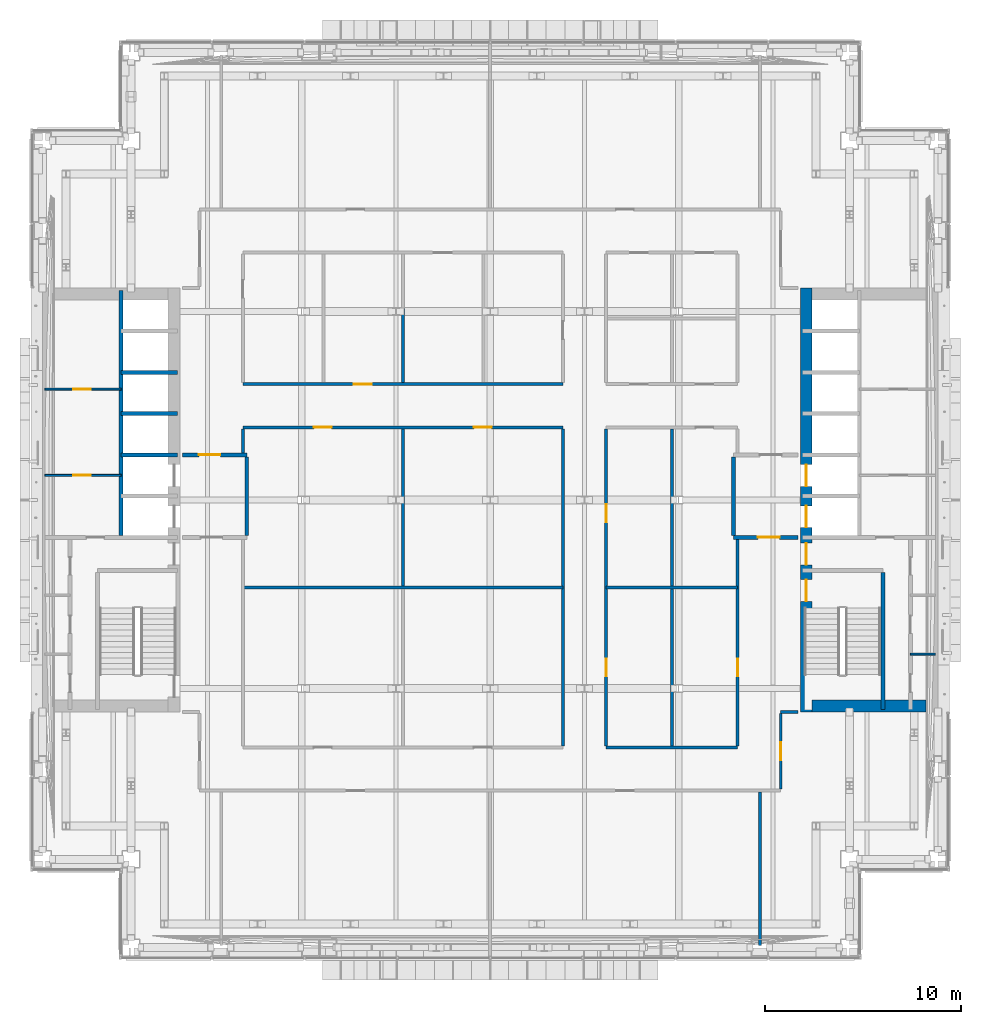
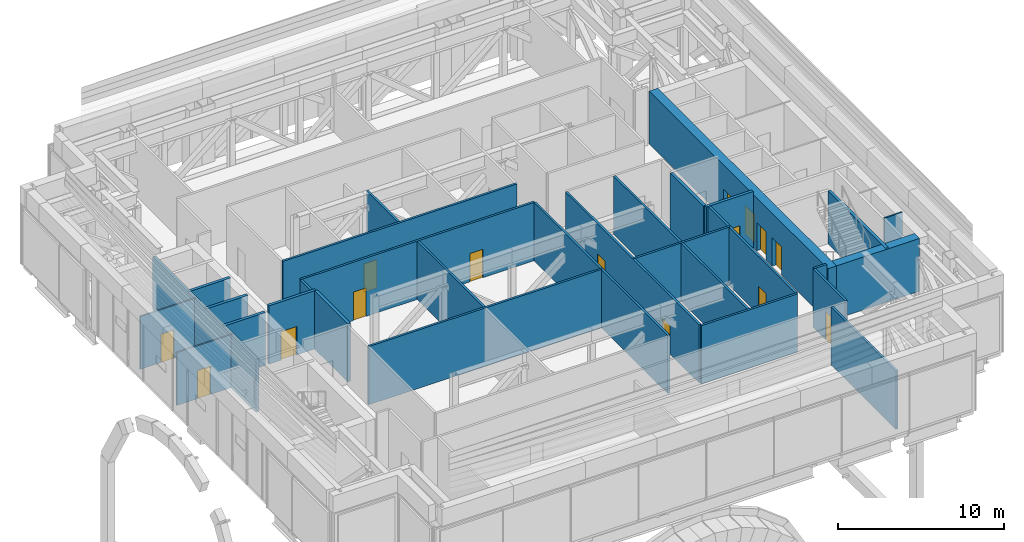
# One storey, part 11 of 38: 30 walls, 15 doors, 15 openings.
"""IFC4 building model written with IfcOpenShell, lengths in metres."""

from ifc_helpers import new_model, si_unit, direction, frame, frame_2d, origin, place, context, subcontext, project, spatial, rectangle, extrude, material, layer, layer_set, type_object, element, fill, save


model = new_model("IFC4")

# Units and contexts
model_context = context("Model", 3, precision=1e-05, world=origin(), true_north=direction((0.0, 1.0)))
body_context = subcontext(model_context, "Body", "Model", "MODEL_VIEW")
ifc_project = project(units=[si_unit("LENGTHUNIT", "METRE"), si_unit("AREAUNIT", "SQUARE_METRE"), si_unit("VOLUMEUNIT", "CUBIC_METRE"), si_unit("PLANEANGLEUNIT", "RADIAN"), si_unit("MASSUNIT", "GRAM", prefix="KILO")], contexts=[model_context])

# Site, building, storey
site_placement = place(None, origin())
site = spatial("IfcSite", under=ifc_project, at=site_placement, CompositionType="ELEMENT")
building_placement = place(site_placement, origin())
building = spatial("IfcBuilding", under=site, at=building_placement, Name="Cobrizo Arcos Hotel Tower", CompositionType="ELEMENT")
storey_placement = place(building_placement, frame((0.0, 0.0, 138.0)))
storey = spatial("IfcBuildingStorey", under=building, at=storey_placement, Name="L35", CompositionType="ELEMENT", Elevation=138.0)

# Walls
ifc_material_1 = material(Name="Gypsum board partition")
ifc_layer_1 = layer(ifc_material_1, 0.14990234375)
ifc_layer_set_1 = layer_set([ifc_layer_1], Name="Corridor wall EI 60 150")
wall_type_1 = type_object("IfcWallType", Name="Corridor wall EI 60 150", PredefinedType="PARTITIONING", material=ifc_layer_set_1)
wall_1_placement = place(storey_placement, frame((5.89990234375, -12.60009765625, 0.0), z_axis=(0.0, 0.0, 1.0), x_axis=(1.0, 0.0, 0.0)))
element("IfcWall", 1, at=wall_1_placement, inside=storey, type_object=wall_type_1, Name="Partition 003", PredefinedType="PARTITIONING", context=body_context, shape_type="SweptSolid", body=[
    extrude(rectangle(XDim=6.7001953125, YDim=0.14990234375, at=frame_2d((3.35009765625, 0.0))), origin(), (0.0, 0.0, 1.0), 4.300048828125),
])
wall_2_placement = place(storey_placement, frame((14.800048828125, -10.800048828125, 0.0), z_axis=(0.0, 0.0, 1.0), x_axis=(1.0, 0.0, 0.0)))
element("IfcWall", 2, at=wall_2_placement, inside=storey, type_object=wall_type_1, Name="Partition 005", PredefinedType="PARTITIONING", context=body_context, shape_type="SweptSolid", body=[
    extrude(rectangle(XDim=0.8798828125, YDim=0.14990234375, at=frame_2d((0.43994140625, 0.0))), origin(), (0.0, 0.0, 1.0), 4.300048828125),
])
wall_3_placement = place(storey_placement, frame((-12.60009765625, -4.449951171875, 0.0), z_axis=(0.0, 0.0, 1.0), x_axis=(1.0, 0.0, 0.0)))
element("IfcWall", 3, at=wall_3_placement, inside=storey, type_object=wall_type_1, Name="Partition 010", PredefinedType="PARTITIONING", context=body_context, shape_type="SweptSolid", body=[
    extrude(rectangle(XDim=16.300048828125, YDim=0.14990234375, at=frame_2d((8.14990234375, 0.0))), origin(), (0.0, 0.0, 1.0), 4.300048828125),
])
wall_4_placement = place(storey_placement, frame((5.89990234375, -4.449951171875, 0.0), z_axis=(0.0, 0.0, 1.0), x_axis=(1.0, 0.0, 0.0)))
element("IfcWall", 4, at=wall_4_placement, inside=storey, type_object=wall_type_1, Name="Partition 011", PredefinedType="PARTITIONING", context=body_context, shape_type="SweptSolid", body=[
    extrude(rectangle(XDim=6.7001953125, YDim=0.14990234375, at=frame_2d((3.35009765625, 0.0))), origin(), (0.0, 0.0, 1.0), 4.300048828125),
])

# Wall, openings, doors
wall_5_placement = place(storey_placement, frame((-12.60009765625, 3.699951171875, 0.0), z_axis=(0.0, 0.0, 1.0), x_axis=(1.0, 0.0, 0.0)))
wall_5 = element("IfcWall", 5, at=wall_5_placement, inside=storey, type_object=wall_type_1, Name="Partition 026", PredefinedType="PARTITIONING", context=body_context, shape_type="SweptSolid", body=[
    extrude(rectangle(XDim=16.300048828125, YDim=0.14990234375, at=frame_2d((8.14990234375, 0.0))), origin(), (0.0, 0.0, 1.0), 4.300048828125),
])
opening_1_placement = place(wall_5_placement, frame((3.625, 0.0, 0.0)))
opening_1 = element("IfcOpeningElement", 6, at=opening_1_placement, cuts=wall_5, Name="Opening RD-26", PredefinedType="OPENING", context=body_context, shape_type="SweptSolid", body=[
    extrude(rectangle(XDim=0.89990234375, YDim=2.10009765625, at=frame_2d((0.449951171875, 1.050048828125))), frame((0.0, 0.0869140625, 0.0), z_axis=(0.0, -1.0, 0.0), x_axis=(1.0, 0.0, 0.0)), (0.0, 0.0, 1.0), 0.173828125),
])
opening_2_placement = place(wall_5_placement, frame((11.77490234375, 0.0, 0.0)))
opening_2 = element("IfcOpeningElement", 7, at=opening_2_placement, cuts=wall_5, Name="Opening RD-28", PredefinedType="OPENING", context=body_context, shape_type="SweptSolid", body=[
    extrude(rectangle(XDim=0.89990234375, YDim=2.10009765625, at=frame_2d((0.449951171875, 1.050048828125))), frame((0.0, 0.0869140625, 0.0), z_axis=(0.0, -1.0, 0.0), x_axis=(1.0, 0.0, 0.0)), (0.0, 0.0, 1.0), 0.173828125),
])
ifc_material_2 = material(Name="Timber door leaf", Category="wood")
door_type_1 = type_object("IfcDoorType", Name="Room door FD30 900x2100", OperationType="SINGLE_SWING_LEFT", PredefinedType="DOOR", material=ifc_material_2)
door_1_placement = place(opening_1_placement, origin())
door_1 = element("IfcDoor", 8, at=door_1_placement, inside=storey, type_object=door_type_1, Name="Door RD-26", OperationType="SINGLE_SWING_RIGHT", OverallHeight=2.10009765625, OverallWidth=0.89990234375, PredefinedType="DOOR", context=body_context, shape_type="SweptSolid", body=[
    extrude(rectangle(XDim=0.89990234375, YDim=2.10009765625, at=frame_2d((0.449951171875, 1.050048828125))), frame((0.0, 0.02490234375, 0.0), z_axis=(0.0, -1.0, 0.0), x_axis=(1.0, 0.0, 0.0)), (0.0, 0.0, 1.0), 0.050048828125),
])
fill(opening_1, door_1)
door_2_placement = place(opening_2_placement, origin())
door_2 = element("IfcDoor", 9, at=door_2_placement, inside=storey, type_object=door_type_1, Name="Door RD-28", OperationType="SINGLE_SWING_RIGHT", OverallHeight=2.10009765625, OverallWidth=0.89990234375, PredefinedType="DOOR", context=body_context, shape_type="SweptSolid", body=[
    extrude(rectangle(XDim=0.89990234375, YDim=2.10009765625, at=frame_2d((0.449951171875, 1.050048828125))), frame((0.0, 0.02490234375, 0.0), z_axis=(0.0, -1.0, 0.0), x_axis=(1.0, 0.0, 0.0)), (0.0, 0.0, 1.0), 0.050048828125),
])
fill(opening_2, door_2)

# Wall, opening, door
wall_6_placement = place(storey_placement, frame((-12.60009765625, 5.89990234375, 0.0), z_axis=(0.0, 0.0, 1.0), x_axis=(1.0, 0.0, 0.0)))
wall_6 = element("IfcWall", 10, at=wall_6_placement, inside=storey, type_object=wall_type_1, Name="Partition 032", PredefinedType="PARTITIONING", context=body_context, shape_type="SweptSolid", body=[
    extrude(rectangle(XDim=16.300048828125, YDim=0.14990234375, at=frame_2d((8.14990234375, 0.0))), origin(), (0.0, 0.0, 1.0), 4.300048828125),
])
opening_3_placement = place(wall_6_placement, frame((5.662109375, 0.0, 0.0)))
opening_3 = element("IfcOpeningElement", 11, at=opening_3_placement, cuts=wall_6, Name="Opening RD-30", PredefinedType="OPENING", context=body_context, shape_type="SweptSolid", body=[
    extrude(rectangle(XDim=0.89990234375, YDim=2.10009765625, at=frame_2d((0.449951171875, 1.050048828125))), frame((0.0, 0.0869140625, 0.0), z_axis=(0.0, -1.0, 0.0), x_axis=(1.0, 0.0, 0.0)), (0.0, 0.0, 1.0), 0.173828125),
])
door_3_placement = place(opening_3_placement, origin())
door_3 = element("IfcDoor", 12, at=door_3_placement, inside=storey, type_object=door_type_1, Name="Door RD-30", OperationType="SINGLE_SWING_RIGHT", OverallHeight=2.10009765625, OverallWidth=0.89990234375, PredefinedType="DOOR", context=body_context, shape_type="SweptSolid", body=[
    extrude(rectangle(XDim=0.89990234375, YDim=2.10009765625, at=frame_2d((0.449951171875, 1.050048828125))), frame((0.0, 0.02490234375, 0.0), z_axis=(0.0, -1.0, 0.0), x_axis=(1.0, 0.0, 0.0)), (0.0, 0.0, 1.0), 0.050048828125),
])
fill(opening_3, door_3)

# Walls
wall_7_placement = place(storey_placement, frame((-12.60009765625, 2.39990234375, 0.0), z_axis=(0.0, 0.0, 1.0), x_axis=(0.0, 1.0, 0.0)))
element("IfcWall", 13, at=wall_7_placement, inside=storey, type_object=wall_type_1, Name="Partition 052", PredefinedType="PARTITIONING", context=body_context, shape_type="SweptSolid", body=[
    extrude(rectangle(XDim=1.22509765625, YDim=0.14990234375, at=frame_2d((0.612548828125, 0.0))), origin(), (0.0, 0.0, 1.0), 4.300048828125),
])
wall_8_placement = place(storey_placement, frame((-4.449951171875, -4.375, 0.0), z_axis=(0.0, 0.0, 1.0), x_axis=(0.0, 1.0, 0.0)))
element("IfcWall", 14, at=wall_8_placement, inside=storey, type_object=wall_type_1, Name="Partition 057", PredefinedType="PARTITIONING", context=body_context, shape_type="SweptSolid", body=[
    extrude(rectangle(XDim=8.0, YDim=0.14990234375, at=frame_2d((4.0, 0.0))), origin(), (0.0, 0.0, 1.0), 4.300048828125),
])
wall_9_placement = place(storey_placement, frame((-4.449951171875, 5.97509765625, 0.0), z_axis=(0.0, 0.0, 1.0), x_axis=(0.0, 1.0, 0.0)))
element("IfcWall", 15, at=wall_9_placement, inside=storey, type_object=wall_type_1, Name="Partition 058", PredefinedType="PARTITIONING", context=body_context, shape_type="SweptSolid", body=[
    extrude(rectangle(XDim=3.77490234375, YDim=0.14990234375, at=frame_2d((1.887451171875, 0.0))), origin(), (0.0, 0.0, 1.0), 4.300048828125),
])
wall_10_placement = place(storey_placement, frame((3.699951171875, -12.52490234375, 0.0), z_axis=(0.0, 0.0, 1.0), x_axis=(0.0, 1.0, 0.0)))
element("IfcWall", 16, at=wall_10_placement, inside=storey, type_object=wall_type_1, Name="Partition 066", PredefinedType="PARTITIONING", context=body_context, shape_type="SweptSolid", body=[
    extrude(rectangle(XDim=16.14990234375, YDim=0.14990234375, at=frame_2d((8.074951171875, 0.0))), origin(), (0.0, 0.0, 1.0), 4.300048828125),
])

# Wall, openings, doors
wall_11_placement = place(storey_placement, frame((5.89990234375, -12.52490234375, 0.0), z_axis=(0.0, 0.0, 1.0), x_axis=(0.0, 1.0, 0.0)))
wall_11 = element("IfcWall", 17, at=wall_11_placement, inside=storey, type_object=wall_type_1, Name="Partition 068", PredefinedType="PARTITIONING", context=body_context, shape_type="SweptSolid", body=[
    extrude(rectangle(XDim=16.14990234375, YDim=0.14990234375, at=frame_2d((8.074951171875, 0.0))), origin(), (0.0, 0.0, 1.0), 4.300048828125),
])
opening_4_placement = place(wall_11_placement, frame((3.550048828125, 0.0, 0.0)))
opening_4 = element("IfcOpeningElement", 18, at=opening_4_placement, cuts=wall_11, Name="Opening RD-17", PredefinedType="OPENING", context=body_context, shape_type="SweptSolid", body=[
    extrude(rectangle(XDim=0.89990234375, YDim=2.10009765625, at=frame_2d((0.449951171875, 1.050048828125))), frame((0.0, 0.0869140625, 0.0), z_axis=(0.0, -1.0, 0.0), x_axis=(1.0, 0.0, 0.0)), (0.0, 0.0, 1.0), 0.173828125),
])
opening_5_placement = place(wall_11_placement, frame((11.39990234375, 0.0, 0.0)))
opening_5 = element("IfcOpeningElement", 19, at=opening_5_placement, cuts=wall_11, Name="Opening RD-18", PredefinedType="OPENING", context=body_context, shape_type="SweptSolid", body=[
    extrude(rectangle(XDim=0.89990234375, YDim=2.10009765625, at=frame_2d((0.449951171875, 1.050048828125))), frame((0.0, 0.0869140625, 0.0), z_axis=(0.0, -1.0, 0.0), x_axis=(1.0, 0.0, 0.0)), (0.0, 0.0, 1.0), 0.173828125),
])
door_4_placement = place(opening_4_placement, origin())
door_4 = element("IfcDoor", 20, at=door_4_placement, inside=storey, type_object=door_type_1, Name="Door RD-17", OperationType="SINGLE_SWING_LEFT", OverallHeight=2.10009765625, OverallWidth=0.89990234375, PredefinedType="DOOR", context=body_context, shape_type="SweptSolid", body=[
    extrude(rectangle(XDim=0.89990234375, YDim=2.10009765625, at=frame_2d((0.449951171875, 1.050048828125))), frame((0.0, 0.02490234375, 0.0), z_axis=(0.0, -1.0, 0.0), x_axis=(1.0, 0.0, 0.0)), (0.0, 0.0, 1.0), 0.050048828125),
])
fill(opening_4, door_4)
door_5_placement = place(opening_5_placement, origin())
door_5 = element("IfcDoor", 21, at=door_5_placement, inside=storey, type_object=door_type_1, Name="Door RD-18", OperationType="SINGLE_SWING_LEFT", OverallHeight=2.10009765625, OverallWidth=0.89990234375, PredefinedType="DOOR", context=body_context, shape_type="SweptSolid", body=[
    extrude(rectangle(XDim=0.89990234375, YDim=2.10009765625, at=frame_2d((0.449951171875, 1.050048828125))), frame((0.0, 0.02490234375, 0.0), z_axis=(0.0, -1.0, 0.0), x_axis=(1.0, 0.0, 0.0)), (0.0, 0.0, 1.0), 0.050048828125),
])
fill(opening_5, door_5)

# Walls
for number, where, z_axis, x_axis, name in (
    (22, (9.25, -12.52490234375, 0.0), (0.0, 0.0, 1.0), (0.0, 1.0, 0.0), "Partition 070"),
    (23, (9.25, -4.375, 0.0), (0.0, 0.0, 1.0), (0.0, 1.0, 0.0), "Partition 071"),
):
    element("IfcWall", number, at=place(storey_placement, frame(where, z_axis=z_axis, x_axis=x_axis)), inside=storey, type_object=wall_type_1, Name=name, PredefinedType="PARTITIONING", context=body_context, shape_type="SweptSolid", body=[
        extrude(rectangle(XDim=8.0, YDim=0.14990234375, at=frame_2d((4.0, 0.0))), origin(), (0.0, 0.0, 1.0), 4.300048828125),
    ])

# Wall, opening, door
wall_12_placement = place(storey_placement, frame((12.60009765625, -12.52490234375, 0.0), z_axis=(0.0, 0.0, 1.0), x_axis=(0.0, 1.0, 0.0)))
wall_12 = element("IfcWall", 24, at=wall_12_placement, inside=storey, type_object=wall_type_1, Name="Partition 075", PredefinedType="PARTITIONING", context=body_context, shape_type="SweptSolid", body=[
    extrude(rectangle(XDim=10.52490234375, YDim=0.14990234375, at=frame_2d((5.262451171875, 0.0))), origin(), (0.0, 0.0, 1.0), 4.300048828125),
])
opening_6_placement = place(wall_12_placement, frame((3.550048828125, 0.0, 0.0)))
opening_6 = element("IfcOpeningElement", 25, at=opening_6_placement, cuts=wall_12, Name="Opening RD-19", PredefinedType="OPENING", context=body_context, shape_type="SweptSolid", body=[
    extrude(rectangle(XDim=0.89990234375, YDim=2.10009765625, at=frame_2d((0.449951171875, 1.050048828125))), frame((0.0, 0.0869140625, 0.0), z_axis=(0.0, -1.0, 0.0), x_axis=(1.0, 0.0, 0.0)), (0.0, 0.0, 1.0), 0.173828125),
])
door_6_placement = place(opening_6_placement, origin())
door_6 = element("IfcDoor", 26, at=door_6_placement, inside=storey, type_object=door_type_1, Name="Door RD-19", OperationType="SINGLE_SWING_LEFT", OverallHeight=2.10009765625, OverallWidth=0.89990234375, PredefinedType="DOOR", context=body_context, shape_type="SweptSolid", body=[
    extrude(rectangle(XDim=0.89990234375, YDim=2.10009765625, at=frame_2d((0.449951171875, 1.050048828125))), frame((0.0, 0.02490234375, 0.0), z_axis=(0.0, -1.0, 0.0), x_axis=(1.0, 0.0, 0.0)), (0.0, 0.0, 1.0), 0.050048828125),
])
fill(opening_6, door_6)

# Wall
wall_13_placement = place(storey_placement, frame((13.75, -22.679931640625, 0.0), z_axis=(0.0, 0.0, 1.0), x_axis=(0.0, 1.0, 0.0)))
element("IfcWall", 27, at=wall_13_placement, inside=storey, type_object=wall_type_1, Name="Partition 078", PredefinedType="PARTITIONING", context=body_context, shape_type="SweptSolid", body=[
    extrude(rectangle(XDim=7.804931640625, YDim=0.14990234375, at=frame_2d((3.90234375, 0.0))), origin(), (0.0, 0.0, 1.0), 4.300048828125),
])

# Wall, opening, door
wall_14_placement = place(storey_placement, frame((14.800048828125, -14.72509765625, 0.0), z_axis=(0.0, 0.0, 1.0), x_axis=(0.0, 1.0, 0.0)))
wall_14 = element("IfcWall", 28, at=wall_14_placement, inside=storey, type_object=wall_type_1, Name="Partition 080", PredefinedType="PARTITIONING", context=body_context, shape_type="SweptSolid", body=[
    extrude(rectangle(XDim=3.85009765625, YDim=0.14990234375, at=frame_2d((1.925048828125, 0.0))), origin(), (0.0, 0.0, 1.0), 4.300048828125),
])
opening_7_placement = place(wall_14_placement, frame((1.47509765625, 0.0, 0.0)))
opening_7 = element("IfcOpeningElement", 29, at=opening_7_placement, cuts=wall_14, Name="Opening RD-16", PredefinedType="OPENING", context=body_context, shape_type="SweptSolid", body=[
    extrude(rectangle(XDim=0.89990234375, YDim=2.10009765625, at=frame_2d((0.449951171875, 1.050048828125))), frame((0.0, 0.0869140625, 0.0), z_axis=(0.0, -1.0, 0.0), x_axis=(1.0, 0.0, 0.0)), (0.0, 0.0, 1.0), 0.173828125),
])
door_7_placement = place(opening_7_placement, origin())
door_7 = element("IfcDoor", 30, at=door_7_placement, inside=storey, type_object=door_type_1, Name="Door RD-16", OperationType="SINGLE_SWING_LEFT", OverallHeight=2.10009765625, OverallWidth=0.89990234375, PredefinedType="DOOR", context=body_context, shape_type="SweptSolid", body=[
    extrude(rectangle(XDim=0.89990234375, YDim=2.10009765625, at=frame_2d((0.449951171875, 1.050048828125))), frame((0.0, 0.02490234375, 0.0), z_axis=(0.0, -1.0, 0.0), x_axis=(1.0, 0.0, 0.0)), (0.0, 0.0, 1.0), 0.050048828125),
])
fill(opening_7, door_7)

# Wall
ifc_layer_2 = layer(ifc_material_1, 0.10009765625)
ifc_layer_set_2 = layer_set([ifc_layer_2], Name="Partition EI 30 100")
wall_type_2 = type_object("IfcWallType", Name="Partition EI 30 100", PredefinedType="PARTITIONING", material=ifc_layer_set_2)
wall_15_placement = place(storey_placement, frame((21.39990234375, -7.85009765625, 0.0), z_axis=(0.0, 0.0, 1.0), x_axis=(1.0, 0.0, 0.0)))
element("IfcWall", 31, at=wall_15_placement, inside=storey, type_object=wall_type_2, Name="Partition 007", PredefinedType="PARTITIONING", context=body_context, shape_type="SweptSolid", body=[
    extrude(rectangle(XDim=1.280029296875, YDim=0.10009765625, at=frame_2d((0.64013671875, 0.0))), origin(), (0.0, 0.0, 1.0), 3.89990234375),
])

# Wall, opening, door
wall_16_placement = place(storey_placement, frame((-22.679931640625, 1.25, 0.0), z_axis=(0.0, 0.0, 1.0), x_axis=(1.0, 0.0, 0.0)))
wall_16 = element("IfcWall", 32, at=wall_16_placement, inside=storey, type_object=wall_type_2, Name="Partition 020", PredefinedType="PARTITIONING", context=body_context, shape_type="SweptSolid", body=[
    extrude(rectangle(XDim=3.8798828125, YDim=0.10009765625, at=frame_2d((1.93994140625, 0.0))), origin(), (0.0, 0.0, 1.0), 3.89990234375),
])
opening_8_placement = place(wall_16_placement, frame((1.429931640625, 0.0, 0.0)))
opening_8 = element("IfcOpeningElement", 33, at=opening_8_placement, cuts=wall_16, Name="Opening RD-04", PredefinedType="OPENING", context=body_context, shape_type="SweptSolid", body=[
    extrude(rectangle(XDim=0.89990234375, YDim=2.10009765625, at=frame_2d((0.449951171875, 1.050048828125))), frame((0.0, 0.06201171875, 0.0), z_axis=(0.0, -1.0, 0.0), x_axis=(1.0, 0.0, 0.0)), (0.0, 0.0, 1.0), 0.1240234375),
])
door_8_placement = place(opening_8_placement, origin())
door_8 = element("IfcDoor", 34, at=door_8_placement, inside=storey, type_object=door_type_1, Name="Door RD-04", OperationType="SINGLE_SWING_LEFT", OverallHeight=2.10009765625, OverallWidth=0.89990234375, PredefinedType="DOOR", context=body_context, shape_type="SweptSolid", body=[
    extrude(rectangle(XDim=0.89990234375, YDim=2.10009765625, at=frame_2d((0.449951171875, 1.050048828125))), frame((0.0, 0.02490234375, 0.0), z_axis=(0.0, -1.0, 0.0), x_axis=(1.0, 0.0, 0.0)), (0.0, 0.0, 1.0), 0.050048828125),
])
fill(opening_8, door_8)

wall_17_placement = place(storey_placement, frame((-22.679931640625, 5.64990234375, 0.0), z_axis=(0.0, 0.0, 1.0), x_axis=(1.0, 0.0, 0.0)))
wall_17 = element("IfcWall", 35, at=wall_17_placement, inside=storey, type_object=wall_type_2, Name="Partition 030", PredefinedType="PARTITIONING", context=body_context, shape_type="SweptSolid", body=[
    extrude(rectangle(XDim=3.8798828125, YDim=0.10009765625, at=frame_2d((1.93994140625, 0.0))), origin(), (0.0, 0.0, 1.0), 3.89990234375),
])
opening_9_placement = place(wall_17_placement, frame((1.429931640625, 0.0, 0.0)))
opening_9 = element("IfcOpeningElement", 36, at=opening_9_placement, cuts=wall_17, Name="Opening RD-05", PredefinedType="OPENING", context=body_context, shape_type="SweptSolid", body=[
    extrude(rectangle(XDim=0.89990234375, YDim=2.10009765625, at=frame_2d((0.449951171875, 1.050048828125))), frame((0.0, 0.06201171875, 0.0), z_axis=(0.0, -1.0, 0.0), x_axis=(1.0, 0.0, 0.0)), (0.0, 0.0, 1.0), 0.1240234375),
])
door_9_placement = place(opening_9_placement, origin())
door_9 = element("IfcDoor", 37, at=door_9_placement, inside=storey, type_object=door_type_1, Name="Door RD-05", OperationType="SINGLE_SWING_LEFT", OverallHeight=2.10009765625, OverallWidth=0.89990234375, PredefinedType="DOOR", context=body_context, shape_type="SweptSolid", body=[
    extrude(rectangle(XDim=0.89990234375, YDim=2.10009765625, at=frame_2d((0.449951171875, 1.050048828125))), frame((0.0, 0.02490234375, 0.0), z_axis=(0.0, -1.0, 0.0), x_axis=(1.0, 0.0, 0.0)), (0.0, 0.0, 1.0), 0.050048828125),
])
fill(opening_9, door_9)

# Wall, openings, doors
ifc_material_3 = material(Name="Concrete f'c 50 MPa", Category="concrete")
ifc_layer_3 = layer(ifc_material_3, 0.60009765625)
ifc_layer_set_3 = layer_set([ifc_layer_3], Name="RC core wall 600 f'c 50")
wall_type_3 = type_object("IfcWallType", Name="RC core wall 600 f'c 50", PredefinedType="SHEAR", material=ifc_layer_set_3)
wall_18_placement = place(storey_placement, frame((16.10009765625, -10.800048828125, 0.0), z_axis=(0.0, 0.0, 1.0), x_axis=(0.0, 1.0, 0.0)))
wall_18 = element("IfcWall", 38, at=wall_18_placement, inside=storey, type_object=wall_type_3, Name="Core wall CW2, east core, inner face, L35", PredefinedType="SHEAR", context=body_context, shape_type="SweptSolid", body=[
    extrude(rectangle(XDim=21.60009765625, YDim=0.60009765625, at=frame_2d((10.800048828125, 0.0))), origin(), (0.0, 0.0, 1.0), 3.89990234375),
])
opening_10_placement = place(wall_18_placement, frame((9.39990234375, 0.0, 0.0)))
opening_10 = element("IfcOpeningElement", 39, at=opening_10_placement, cuts=wall_18, Name="Opening LD-03", PredefinedType="OPENING", context=body_context, shape_type="SweptSolid", body=[
    extrude(rectangle(XDim=1.10009765625, YDim=2.10009765625, at=frame_2d((0.550048828125, 1.050048828125))), frame((0.0, 0.31201171875, 0.0), z_axis=(0.0, -1.0, 0.0), x_axis=(1.0, 0.0, 0.0)), (0.0, 0.0, 1.0), 0.6240234375),
])
opening_11_placement = place(wall_18_placement, frame((11.5, 0.0, 0.0)))
opening_11 = element("IfcOpeningElement", 40, at=opening_11_placement, cuts=wall_18, Name="Opening LD-04", PredefinedType="OPENING", context=body_context, shape_type="SweptSolid", body=[
    extrude(rectangle(XDim=1.10009765625, YDim=2.10009765625, at=frame_2d((0.550048828125, 1.050048828125))), frame((0.0, 0.31201171875, 0.0), z_axis=(0.0, -1.0, 0.0), x_axis=(1.0, 0.0, 0.0)), (0.0, 0.0, 1.0), 0.6240234375),
])
opening_12_placement = place(wall_18_placement, frame((5.64208984375, 0.0, 0.0)))
opening_12 = element("IfcOpeningElement", 41, at=opening_12_placement, cuts=wall_18, Name="Opening SD-02", PredefinedType="OPENING", context=body_context, shape_type="SweptSolid", body=[
    extrude(rectangle(XDim=1.10009765625, YDim=2.10009765625, at=frame_2d((0.550048828125, 1.050048828125))), frame((0.0, 0.31201171875, 0.0), z_axis=(0.0, -1.0, 0.0), x_axis=(1.0, 0.0, 0.0)), (0.0, 0.0, 1.0), 0.6240234375),
])
opening_13_placement = place(wall_18_placement, frame((7.5, 0.0, 0.0)))
opening_13 = element("IfcOpeningElement", 42, at=opening_13_placement, cuts=wall_18, Name="Opening FD-04", PredefinedType="OPENING", context=body_context, shape_type="SweptSolid", body=[
    extrude(rectangle(XDim=1.10009765625, YDim=2.10009765625, at=frame_2d((0.550048828125, 1.050048828125))), frame((0.0, 0.31201171875, 0.0), z_axis=(0.0, -1.0, 0.0), x_axis=(1.0, 0.0, 0.0)), (0.0, 0.0, 1.0), 0.6240234375),
])
ifc_material_4 = material(Name="Steel door leaf", Category="steel")
door_type_2 = type_object("IfcDoorType", Name="Fire door FD60 1100x2100", OperationType="SINGLE_SWING_LEFT", PredefinedType="DOOR", material=ifc_material_4)
door_10_placement = place(opening_13_placement, origin())
door_10 = element("IfcDoor", 43, at=door_10_placement, inside=storey, type_object=door_type_2, Name="Door FD-04", OperationType="SINGLE_SWING_RIGHT", OverallHeight=2.10009765625, OverallWidth=1.10009765625, PredefinedType="DOOR", context=body_context, shape_type="SweptSolid", body=[
    extrude(rectangle(XDim=1.10009765625, YDim=2.10009765625, at=frame_2d((0.550048828125, 1.050048828125))), frame((0.0, 0.02490234375, 0.0), z_axis=(0.0, -1.0, 0.0), x_axis=(1.0, 0.0, 0.0)), (0.0, 0.0, 1.0), 0.050048828125),
])
fill(opening_13, door_10)
door_type_3 = type_object("IfcDoorType", Name="Lift landing door 1100x2100", OperationType="SLIDING_TO_LEFT", PredefinedType="DOOR", material=ifc_material_4)
door_11_placement = place(opening_10_placement, origin())
door_11 = element("IfcDoor", 44, at=door_11_placement, inside=storey, type_object=door_type_3, Name="Lift landing door LD-03", OperationType="SLIDING_TO_LEFT", OverallHeight=2.10009765625, OverallWidth=1.10009765625, PredefinedType="DOOR", context=body_context, shape_type="SweptSolid", body=[
    extrude(rectangle(XDim=1.10009765625, YDim=2.10009765625, at=frame_2d((0.550048828125, 1.050048828125))), frame((0.0, 0.02490234375, 0.0), z_axis=(0.0, -1.0, 0.0), x_axis=(1.0, 0.0, 0.0)), (0.0, 0.0, 1.0), 0.050048828125),
])
fill(opening_10, door_11)
door_12_placement = place(opening_11_placement, origin())
door_12 = element("IfcDoor", 45, at=door_12_placement, inside=storey, type_object=door_type_3, Name="Lift landing door LD-04", OperationType="SLIDING_TO_LEFT", OverallHeight=2.10009765625, OverallWidth=1.10009765625, PredefinedType="DOOR", context=body_context, shape_type="SweptSolid", body=[
    extrude(rectangle(XDim=1.10009765625, YDim=2.10009765625, at=frame_2d((0.550048828125, 1.050048828125))), frame((0.0, 0.02490234375, 0.0), z_axis=(0.0, -1.0, 0.0), x_axis=(1.0, 0.0, 0.0)), (0.0, 0.0, 1.0), 0.050048828125),
])
fill(opening_11, door_12)
door_type_4 = type_object("IfcDoorType", Name="Stair door FD60S 1100x2100", OperationType="SINGLE_SWING_LEFT", PredefinedType="DOOR", material=ifc_material_4)
door_13_placement = place(opening_12_placement, origin())
door_13 = element("IfcDoor", 46, at=door_13_placement, inside=storey, type_object=door_type_4, Name="Door SD-02", OperationType="SINGLE_SWING_RIGHT", OverallHeight=2.10009765625, OverallWidth=1.10009765625, PredefinedType="DOOR", context=body_context, shape_type="SweptSolid", body=[
    extrude(rectangle(XDim=1.10009765625, YDim=2.10009765625, at=frame_2d((0.550048828125, 1.050048828125))), frame((0.0, 0.02490234375, 0.0), z_axis=(0.0, -1.0, 0.0), x_axis=(1.0, 0.0, 0.0)), (0.0, 0.0, 1.0), 0.050048828125),
])
fill(opening_12, door_13)

# Wall
wall_19_placement = place(storey_placement, frame((16.39990234375, -10.5, 0.0), z_axis=(0.0, 0.0, 1.0), x_axis=(1.0, 0.0, 0.0)))
element("IfcWall", 47, at=wall_19_placement, inside=storey, type_object=wall_type_3, Name="Core wall CW2, east core, south end, L35", PredefinedType="SHEAR", context=body_context, shape_type="SweptSolid", body=[
    extrude(rectangle(XDim=5.800048828125, YDim=0.60009765625, at=frame_2d((2.89990234375, 0.0))), origin(), (0.0, 0.0, 1.0), 3.89990234375),
])

# Wall, opening, door
ifc_layer_4 = layer(ifc_material_1, 0.199951171875)
ifc_layer_set_4 = layer_set([ifc_layer_4], Name="Shaft wall EI 120 200")
wall_type_4 = type_object("IfcWallType", Name="Shaft wall EI 120 200", PredefinedType="PARTITIONING", material=ifc_layer_set_4)
wall_20_placement = place(storey_placement, frame((12.39990234375, -1.89990234375, 0.0), z_axis=(0.0, 0.0, 1.0), x_axis=(1.0, 0.0, 0.0)))
wall_20 = element("IfcWall", 48, at=wall_20_placement, inside=storey, type_object=wall_type_4, Name="Partition 016", PredefinedType="PARTITIONING", context=body_context, shape_type="SweptSolid", body=[
    extrude(rectangle(XDim=3.280029296875, YDim=0.199951171875, at=frame_2d((1.64013671875, 0.0))), origin(), (0.0, 0.0, 1.0), 4.300048828125),
])
opening_14_placement = place(wall_20_placement, frame((1.239990234375, 0.0, 0.0)))
opening_14 = element("IfcOpeningElement", 49, at=opening_14_placement, cuts=wall_20, Name="Opening FD-05", PredefinedType="OPENING", context=body_context, shape_type="SweptSolid", body=[
    extrude(rectangle(XDim=1.10009765625, YDim=2.10009765625, at=frame_2d((0.550048828125, 1.050048828125))), frame((0.0, 0.112060546875, 0.0), z_axis=(0.0, -1.0, 0.0), x_axis=(1.0, 0.0, 0.0)), (0.0, 0.0, 1.0), 0.223876953125),
])
door_14_placement = place(opening_14_placement, origin())
door_14 = element("IfcDoor", 50, at=door_14_placement, inside=storey, type_object=door_type_2, Name="Door FD-05", OperationType="SINGLE_SWING_RIGHT", OverallHeight=2.10009765625, OverallWidth=1.10009765625, PredefinedType="DOOR", context=body_context, shape_type="SweptSolid", body=[
    extrude(rectangle(XDim=1.10009765625, YDim=2.10009765625, at=frame_2d((0.550048828125, 1.050048828125))), frame((0.0, 0.02490234375, 0.0), z_axis=(0.0, -1.0, 0.0), x_axis=(1.0, 0.0, 0.0)), (0.0, 0.0, 1.0), 0.050048828125),
])
fill(opening_14, door_14)

# Wall
wall_21_placement = place(storey_placement, frame((-18.800048828125, 2.300048828125, 0.0), z_axis=(0.0, 0.0, 1.0), x_axis=(1.0, 0.0, 0.0)))
element("IfcWall", 51, at=wall_21_placement, inside=storey, type_object=wall_type_4, Name="Partition 022", PredefinedType="PARTITIONING", context=body_context, shape_type="SweptSolid", body=[
    extrude(rectangle(XDim=2.880126953125, YDim=0.199951171875, at=frame_2d((1.43994140625, 0.0))), origin(), (0.0, 0.0, 1.0), 3.89990234375),
])

# Wall, opening, door
wall_22_placement = place(storey_placement, frame((-15.679931640625, 2.300048828125, 0.0), z_axis=(0.0, 0.0, 1.0), x_axis=(1.0, 0.0, 0.0)))
wall_22 = element("IfcWall", 52, at=wall_22_placement, inside=storey, type_object=wall_type_4, Name="Partition 023", PredefinedType="PARTITIONING", context=body_context, shape_type="SweptSolid", body=[
    extrude(rectangle(XDim=3.280029296875, YDim=0.199951171875, at=frame_2d((1.64013671875, 0.0))), origin(), (0.0, 0.0, 1.0), 4.300048828125),
])
opening_15_placement = place(wall_22_placement, frame((0.840087890625, 0.0, 0.0)))
opening_15 = element("IfcOpeningElement", 53, at=opening_15_placement, cuts=wall_22, Name="Opening FD-03", PredefinedType="OPENING", context=body_context, shape_type="SweptSolid", body=[
    extrude(rectangle(XDim=1.10009765625, YDim=2.10009765625, at=frame_2d((0.550048828125, 1.050048828125))), frame((0.0, 0.112060546875, 0.0), z_axis=(0.0, -1.0, 0.0), x_axis=(1.0, 0.0, 0.0)), (0.0, 0.0, 1.0), 0.223876953125),
])
door_15_placement = place(opening_15_placement, origin())
door_15 = element("IfcDoor", 54, at=door_15_placement, inside=storey, type_object=door_type_2, Name="Door FD-03", OperationType="SINGLE_SWING_LEFT", OverallHeight=2.10009765625, OverallWidth=1.10009765625, PredefinedType="DOOR", context=body_context, shape_type="SweptSolid", body=[
    extrude(rectangle(XDim=1.10009765625, YDim=2.10009765625, at=frame_2d((0.550048828125, 1.050048828125))), frame((0.0, 0.02490234375, 0.0), z_axis=(0.0, -1.0, 0.0), x_axis=(1.0, 0.0, 0.0)), (0.0, 0.0, 1.0), 0.050048828125),
])
fill(opening_15, door_15)

# Walls
for number, where, z_axis, x_axis, name in (
    (55, (-18.800048828125, 4.39990234375, 0.0), (0.0, 0.0, 1.0), (1.0, 0.0, 0.0), "Partition 028"),
    (56, (-18.800048828125, 6.5, 0.0), (0.0, 0.0, 1.0), (1.0, 0.0, 0.0), "Partition 034"),
):
    element("IfcWall", number, at=place(storey_placement, frame(where, z_axis=z_axis, x_axis=x_axis)), inside=storey, type_object=wall_type_4, Name=name, PredefinedType="PARTITIONING", context=body_context, shape_type="SweptSolid", body=[
        extrude(rectangle(XDim=2.880126953125, YDim=0.199951171875, at=frame_2d((1.43994140625, 0.0))), origin(), (0.0, 0.0, 1.0), 3.89990234375),
    ])
wall_23_placement = place(storey_placement, frame((-18.800048828125, -1.800048828125, 0.0), z_axis=(0.0, 0.0, 1.0), x_axis=(0.0, 1.0, 0.0)))
element("IfcWall", 57, at=wall_23_placement, inside=storey, type_object=wall_type_4, Name="Partition 046", PredefinedType="PARTITIONING", context=body_context, shape_type="SweptSolid", body=[
    extrude(rectangle(XDim=12.47998046875, YDim=0.199951171875, at=frame_2d((6.239990234375, 0.0))), origin(), (0.0, 0.0, 1.0), 3.89990234375),
])
for number, where, z_axis, x_axis, name in (
    (58, (-12.39990234375, -1.800048828125, 0.0), (0.0, 0.0, 1.0), (0.0, 1.0, 0.0), "Partition 054"),
    (59, (12.39990234375, -1.800048828125, 0.0), (0.0, 0.0, 1.0), (0.0, 1.0, 0.0), "Partition 074"),
):
    element("IfcWall", number, at=place(storey_placement, frame(where, z_axis=z_axis, x_axis=x_axis)), inside=storey, type_object=wall_type_4, Name=name, PredefinedType="PARTITIONING", context=body_context, shape_type="SweptSolid", body=[
        extrude(rectangle(XDim=4.0, YDim=0.199951171875, at=frame_2d((2.0, 0.0))), origin(), (0.0, 0.0, 1.0), 4.300048828125),
    ])
ifc_material_5 = material(Name="Concrete f'c 40 MPa", Category="concrete")
ifc_layer_5 = layer(ifc_material_5, 0.199951171875)
ifc_layer_set_5 = layer_set([ifc_layer_5], Name="Stair shaft wall 200")
wall_type_5 = type_object("IfcWallType", Name="Stair shaft wall 200", PredefinedType="SHEAR", material=ifc_layer_set_5)
wall_24_placement = place(storey_placement, frame((20.0, -10.679931640625, 0.0), z_axis=(0.0, 0.0, 1.0), x_axis=(0.0, 1.0, 0.0)))
element("IfcWall", 60, at=wall_24_placement, inside=storey, type_object=wall_type_5, Name="Stair shaft wall E", PredefinedType="SHEAR", context=body_context, shape_type="SweptSolid", body=[
    extrude(rectangle(XDim=6.97998046875, YDim=0.199951171875, at=frame_2d((3.489990234375, 0.0))), origin(), (0.0, 0.0, 1.0), 3.89990234375),
])

save(model, "model.ifc")
